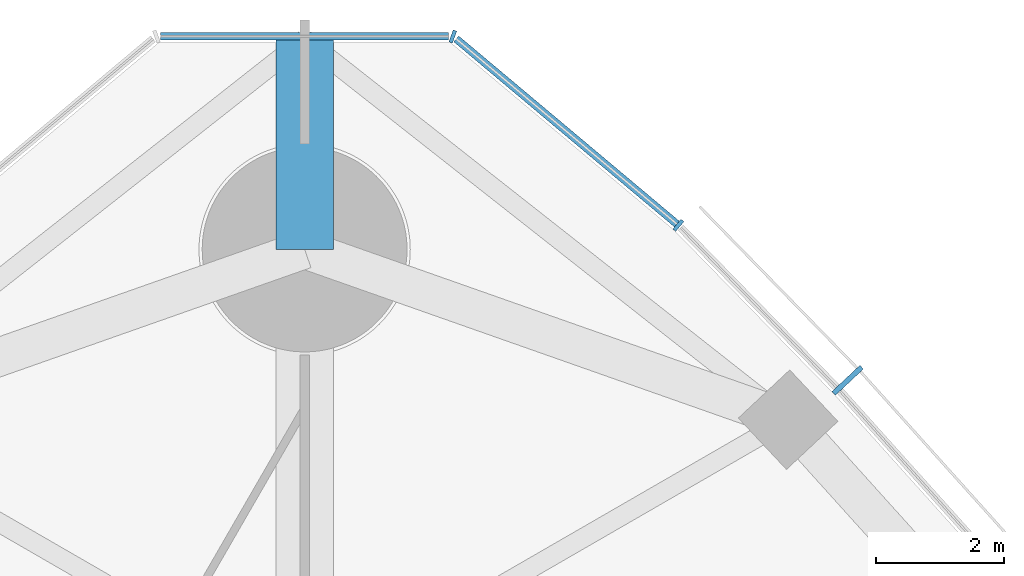
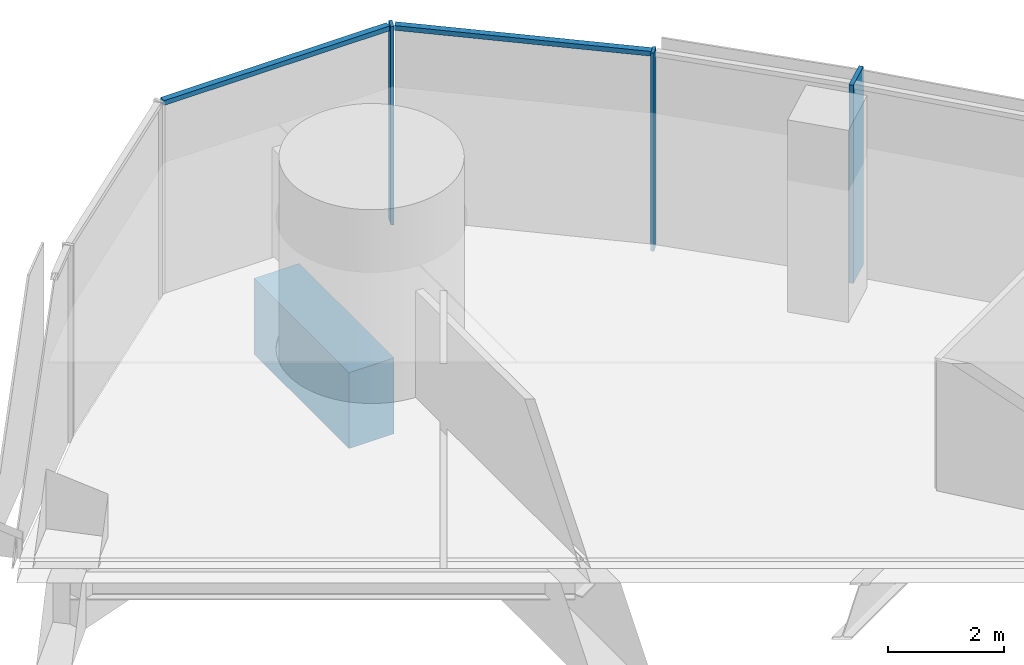
# One storey, part 8 of 19: 5 members, 1 beam, 2 elements without a shape of their own.
"""IFC4 building model written with IfcOpenShell, lengths in metres."""

import ifcopenshell
import ifcopenshell.guid

model = None  # the IFC model being written
_history = None  # IfcOwnerHistory: only IFC2X3 demands one
_inside = {}  # id of a spatial element -> (the spatial element, [elements in it])
_under = {}  # id of a project, library or spatial element -> (it, [spatial elements below it])
_declared = {}  # id of a project -> (the project, [libraries it declares])
_typed = {}  # id of a type object -> (the type object, [elements of that type])
_made_of = {}  # id of a material, layer set ... -> (it, [elements and type objects made of it])


def new_model(schema):
    """Start an empty IFC model of exactly this schema.

    Asked for "IFC4X3", IfcOpenShell would pick the latest addendum, in which some entities
    have other attributes; the version numbers below select the first issue.
    IFC2X3 requires an IfcOwnerHistory on every rooted entity: one is made here for all.
    """
    global model, _history
    if schema == "IFC4X3":
        model = ifcopenshell.file(schema_version=(4, 3, 0, 0))
    else:
        model = ifcopenshell.file(schema=schema)
    _inside.clear()
    _under.clear()
    _declared.clear()
    _typed.clear()
    _made_of.clear()
    _history = None
    if model.schema == "IFC2X3":
        org = make("IfcOrganization", Name="unknown")
        user = make(
            "IfcPersonAndOrganization",
            ThePerson=make("IfcPerson", FamilyName="unknown"),
            TheOrganization=org,
        )
        app = make(
            "IfcApplication",
            ApplicationDeveloper=org,
            Version="unknown",
            ApplicationFullName="unknown",
            ApplicationIdentifier="unknown",
        )
        _history = make(
            "IfcOwnerHistory",
            OwningUser=user,
            OwningApplication=app,
            ChangeAction="ADDED",
            CreationDate=0,
        )
    return model


def make(cls, **values):
    """One entity of the class cls with the attributes given. An attribute that is None is left unset."""
    return model.create_entity(
        cls, **{name: value for name, value in values.items() if value is not None}
    )


def rooted(cls, **values):
    """An entity with a GlobalId (a new one), such as an element, a storey or a relation."""
    return make(cls, GlobalId=ifcopenshell.guid.new(), OwnerHistory=_history, **values)


def si_unit(unit_type, name, prefix=None):
    """IfcSIUnit, for example si_unit("LENGTHUNIT", "METRE", prefix="MILLI")."""
    return make("IfcSIUnit", UnitType=unit_type, Prefix=prefix, Name=name)


def assignment(units):
    """IfcUnitAssignment: the units of a project."""
    return None if units is None else make("IfcUnitAssignment", Units=units)


def point(xyz):
    """IfcCartesianPoint."""
    return None if xyz is None else make("IfcCartesianPoint", Coordinates=xyz)


def direction(xyz):
    """IfcDirection."""
    return None if xyz is None else make("IfcDirection", DirectionRatios=xyz)


def frame(location, z_axis=None, x_axis=None):
    """IfcAxis2Placement3D, a coordinate frame: its origin and axes. An axis left out is left unset."""
    return make(
        "IfcAxis2Placement3D",
        Location=point(location),
        Axis=direction(z_axis),
        RefDirection=direction(x_axis),
    )


def frame_2d(location, x_axis=None):
    """IfcAxis2Placement2D, a coordinate frame in the plane: its origin and x axis."""
    return make(
        "IfcAxis2Placement2D", Location=point(location), RefDirection=direction(x_axis)
    )


def origin():
    """The frame at (0, 0, 0) with its axes left unset."""
    return frame((0.0, 0.0, 0.0))


def origin_2d():
    """The frame at (0, 0) in the plane with its x axis left unset."""
    return frame_2d((0.0, 0.0))


def place(relative_to, where):
    """IfcLocalPlacement: puts the frame where relative to a parent placement (None: the world)."""
    return make(
        "IfcLocalPlacement", PlacementRelTo=relative_to, RelativePlacement=where
    )


def context(
    kind, dimensions, precision=None, world=None, true_north=None, identifier=None
):
    """IfcGeometricRepresentationContext, for example the 3D "Model" context."""
    return make(
        "IfcGeometricRepresentationContext",
        ContextIdentifier=identifier,
        ContextType=kind,
        CoordinateSpaceDimension=dimensions,
        Precision=precision,
        WorldCoordinateSystem=world,
        TrueNorth=true_north,
    )


def subcontext(parent, identifier, kind, view, scale=None):
    """IfcGeometricRepresentationSubContext, for example "Body" below "Model"."""
    return make(
        "IfcGeometricRepresentationSubContext",
        ContextIdentifier=identifier,
        ContextType=kind,
        ParentContext=parent,
        TargetScale=scale,
        TargetView=view,
    )


def project(units=None, contexts=None):
    """IfcProject with its units and contexts."""
    return rooted(
        "IfcProject",
        Name="project",
        RepresentationContexts=contexts,
        UnitsInContext=assignment(units),
    )


def spatial(cls, under=None, at=None, **own):
    """A site, building, storey or space (cls), placed at a placement, below another one or the project."""
    s = rooted(cls, ObjectPlacement=at, **own)
    if under is not None:
        _under.setdefault(under.id(), (under, []))[1].append(s)
    return s


def profile(cls, at=None, kind="AREA", **sizes):
    """A parametric profile (cls). Its sizes go by their IFC names, for example OverallWidth=200.0."""
    return make(cls, ProfileType=kind, Position=at, **sizes)


def rectangle(**sizes):
    """IfcRectangleProfileDef."""
    return profile("IfcRectangleProfileDef", **sizes)


def extrude(swept, where, along, depth):
    """IfcExtrudedAreaSolid: the profile swept, set in the frame where, extruded along a direction by depth."""
    return make(
        "IfcExtrudedAreaSolid",
        SweptArea=swept,
        Position=where,
        ExtrudedDirection=direction(along),
        Depth=depth,
    )


def shape(context_of_items, identifier, shape_type, items):
    """IfcShapeRepresentation: the items that make up one representation, for example the "Body"."""
    return make(
        "IfcShapeRepresentation",
        ContextOfItems=context_of_items,
        RepresentationIdentifier=identifier,
        RepresentationType=shape_type,
        Items=items,
    )


def material(Name=None, Category=None):
    """IfcMaterial."""
    return make("IfcMaterial", Name=Name, Category=Category)


def material_profile(
    of_material, cross_section, Name=None, Category=None, Priority=None
):
    """IfcMaterialProfile: a cross section and its material."""
    return make(
        "IfcMaterialProfile",
        Name=Name,
        Material=of_material,
        Profile=cross_section,
        Priority=Priority,
        Category=Category,
    )


def profile_set(profiles, Name=None, composite=None):
    """IfcMaterialProfileSet."""
    return make(
        "IfcMaterialProfileSet",
        Name=Name,
        MaterialProfiles=profiles,
        CompositeProfile=composite,
    )


def made_of(thing, what):
    """Note that an element or type object is made of a material, layer set ...; save() writes the relation."""
    if what is not None:
        _made_of.setdefault(what.id(), (what, []))[1].append(thing)
    return thing


def type_object(cls, material=None, **own):
    """A type object (cls), such as IfcWallType, which elements share."""
    return made_of(rooted(cls, **own), material)


def element(
    cls,
    number,
    at=None,
    inside=None,
    cuts=None,
    type_object=None,
    material=None,
    context=None,
    identifier="Body",
    shape_type=None,
    held_by="IfcProductDefinitionShape",
    body=None,
    shapes=None,
    **own,
):
    """One element of the class cls, such as IfcWall. Its Tag is "e" and its number.

    at: its placement. inside: the storey or other place that contains it. cuts: it is an
    opening in that element (IfcRelVoidsElement). A single representation is given by context,
    identifier, shape_type and body (its items); several are given by shapes. held_by: the class
    of the entity that holds the representations. save() writes the other relations.
    """
    e = rooted(cls, Tag="e%d" % number, ObjectPlacement=at, **own)
    if body is not None:
        shapes = [shape(context, identifier, shape_type, body)]
    if shapes is not None:
        e.Representation = make(held_by, Representations=shapes)
    if inside is not None:
        _inside.setdefault(inside.id(), (inside, []))[1].append(e)
    if cuts is not None:
        rooted(
            "IfcRelVoidsElement", RelatingBuildingElement=cuts, RelatedOpeningElement=e
        )
    if type_object is not None:
        _typed.setdefault(type_object.id(), (type_object, []))[1].append(e)
    return made_of(e, material)


def aggregate(whole, parts):
    """IfcRelAggregates: a whole, such as a stair, and the parts it consists of."""
    return rooted("IfcRelAggregates", RelatingObject=whole, RelatedObjects=parts)


def save(model, path):
    """Write the relations noted so far, then the file.

    IfcRelAggregates (storeys below a building ...), IfcRelContainedInSpatialStructure (elements
    in a storey), IfcRelDefinesByType, IfcRelAssociatesMaterial and IfcRelDeclares: one each for
    every whole, place, type object, material and project.
    """
    for whole, parts in _under.values():
        aggregate(whole, parts)
    for where, things in _inside.values():
        rooted(
            "IfcRelContainedInSpatialStructure",
            RelatedElements=things,
            RelatingStructure=where,
        )
    for kind, things in _typed.values():
        rooted("IfcRelDefinesByType", RelatedObjects=things, RelatingType=kind)
    for what, things in _made_of.values():
        rooted("IfcRelAssociatesMaterial", RelatedObjects=things, RelatingMaterial=what)
    for by, libraries in _declared.values():
        rooted("IfcRelDeclares", RelatingContext=by, RelatedDefinitions=libraries)
    model.write(path)


model = new_model("IFC4")

# Units and contexts
model_context = context("Model", 3, precision=1e-05, world=origin(), true_north=direction((0.0, 1.0)))
body_context = subcontext(model_context, "Body", "Model", "MODEL_VIEW")
ifc_project = project(units=[si_unit("LENGTHUNIT", "METRE"), si_unit("AREAUNIT", "SQUARE_METRE"), si_unit("VOLUMEUNIT", "CUBIC_METRE"), si_unit("PLANEANGLEUNIT", "RADIAN"), si_unit("MASSUNIT", "GRAM", prefix="KILO")], contexts=[model_context])

# Site, building, storey
site_placement = place(None, origin())
site = spatial("IfcSite", under=ifc_project, at=site_placement, CompositionType="ELEMENT")
building_placement = place(site_placement, origin())
building = spatial("IfcBuilding", under=site, at=building_placement, Name="Trefoil Bronze Tower", CompositionType="ELEMENT")
storey_placement = place(building_placement, frame((0.0, 0.0, 206.5)))
storey = spatial("IfcBuildingStorey", under=building, at=storey_placement, Name="L47", CompositionType="ELEMENT", Elevation=206.5)

# Curtain wall, member
ifc_material_1 = material(Name="Tinted solar-control glass", Category="glass")
curtain_wall_type_1 = type_object("IfcCurtainWallType", Name="Bronze office curtain wall", PredefinedType="USERDEFINED", material=ifc_material_1)
curtain_wall_1_placement = place(storey_placement, origin())
curtain_wall_1 = element("IfcCurtainWall", 1, at=curtain_wall_1_placement, inside=storey, type_object=curtain_wall_type_1, Name="CW-A L47 F2", ObjectType="CURTAIN WALL", PredefinedType="USERDEFINED")
ifc_material_2 = material(Name="Bronze-finish aluminium", Category="aluminium")
ifc_material_profile_1 = material_profile(ifc_material_2, rectangle(XDim=0.60009765625, YDim=0.080078125, at=origin_2d()), Name="CW-A mullion")
ifc_profile_set_1 = profile_set([ifc_material_profile_1], Name="Bronze-finish aluminium")
member_type_1 = type_object("IfcMemberType", Name="Bronze office curtain wall mullion", PredefinedType="MULLION", material=ifc_profile_set_1)
member_1_placement = place(storey_placement, frame((8.482177734375, 30.95654296875, 0.0), z_axis=(0.0, 0.0, 1.0), x_axis=(-0.729859580661, -0.683597098091, 0.0)))
member_1 = element("IfcMember", 2, at=member_1_placement, type_object=member_type_1, Name="CW-A L47 F2 mullion 12", PredefinedType="MULLION", context=body_context, shape_type="SweptSolid", body=[
    extrude(rectangle(XDim=0.60009765625, YDim=0.080078125, at=origin_2d()), origin(), (0.0, 0.0, 1.0), 4.179931640625),
])
aggregate(curtain_wall_1, [member_1])

# Curtain wall, members
ifc_material_3 = material(Name="Tinted solar-control glass", Category="glass")
curtain_wall_type_2 = type_object("IfcCurtainWallType", Name="Bronze rounded corner curtain wall", PredefinedType="USERDEFINED", material=ifc_material_3)
curtain_wall_2_placement = place(storey_placement, origin())
curtain_wall_2 = element("IfcCurtainWall", 3, at=curtain_wall_2_placement, inside=storey, type_object=curtain_wall_type_2, Name="CW-B L47 K2", ObjectType="CURTAIN WALL", PredefinedType="USERDEFINED")
ifc_material_4 = material(Name="Bronze-finish aluminium", Category="aluminium")
ifc_material_profile_2 = material_profile(ifc_material_4, rectangle(XDim=0.199951171875, YDim=0.06005859375, at=origin_2d()), Name="CW-B mullion")
ifc_profile_set_2 = profile_set([ifc_material_profile_2], Name="Bronze-finish aluminium")
member_type_2 = type_object("IfcMemberType", Name="Bronze rounded corner curtain wall mullion", PredefinedType="MULLION", material=ifc_profile_set_2)
member_2_placement = place(storey_placement, frame((5.837890625, 33.3779296875, 0.0), z_axis=(0.0, 0.0, 1.0), x_axis=(-0.642787609687, -0.766044443119, 0.0)))
member_2 = element("IfcMember", 4, at=member_2_placement, type_object=member_type_2, Name="CW-B L47 K2 mullion 1", PredefinedType="MULLION", context=body_context, shape_type="SweptSolid", body=[
    extrude(rectangle(XDim=0.199951171875, YDim=0.06005859375, at=origin_2d()), origin(), (0.0, 0.0, 1.0), 4.179931640625),
])
member_3_placement = place(storey_placement, frame((2.314453125, 36.326416015625, 0.0), z_axis=(0.0, 0.0, 1.0), x_axis=(-0.342020143326, -0.939692620786, 0.0)))
member_3 = element("IfcMember", 5, at=member_3_placement, type_object=member_type_2, Name="CW-B L47 K2 mullion 2", PredefinedType="MULLION", context=body_context, shape_type="SweptSolid", body=[
    extrude(rectangle(XDim=0.199951171875, YDim=0.06005859375, at=origin_2d()), origin(), (0.0, 0.0, 1.0), 4.179931640625),
])
ifc_material_5 = material(Name="Bronze-finish aluminium", Category="aluminium")
ifc_material_profile_3 = material_profile(ifc_material_5, rectangle(XDim=0.1201171875, YDim=0.10009765625, at=origin_2d()), Name="CW-B transom")
ifc_profile_set_3 = profile_set([ifc_material_profile_3], Name="Bronze-finish aluminium")
member_type_3 = type_object("IfcMemberType", Name="Bronze rounded corner curtain wall transom", PredefinedType="USERDEFINED", material=ifc_profile_set_3)
member_4_placement = place(storey_placement, frame((5.814697265625, 33.397216796875, 4.1298828125), z_axis=(-0.766046761698, 0.642784846501, 0.0), x_axis=(-0.642784846501, -0.766046761698, 0.0)))
member_4 = element("IfcMember", 6, at=member_4_placement, type_object=member_type_3, Name="CW-B L47 K2 transom 1", ObjectType="TRANSOM", PredefinedType="USERDEFINED", context=body_context, shape_type="SweptSolid", body=[
    extrude(rectangle(XDim=0.1201171875, YDim=0.10009765625, at=origin_2d()), origin(), (0.0, 0.0, 1.0), 4.5),
])
member_5_placement = place(storey_placement, frame((2.250244140625, 36.33251953125, 4.1298828125), z_axis=(-1.0, 0.0, 0.0), x_axis=(0.0, -1.0, 0.0)))
member_5 = element("IfcMember", 7, at=member_5_placement, type_object=member_type_3, Name="CW-B L47 K2 transom 2", ObjectType="TRANSOM", PredefinedType="USERDEFINED", context=body_context, shape_type="SweptSolid", body=[
    extrude(rectangle(XDim=0.1201171875, YDim=0.10009765625, at=origin_2d()), origin(), (0.0, 0.0, 1.0), 4.50048828125),
])
aggregate(curtain_wall_2, [member_2, member_3, member_4, member_5])

# Beam
ifc_material_6 = material(Name="Concrete B80", Category="concrete")
ifc_material_profile_4 = material_profile(ifc_material_6, rectangle(XDim=0.89990234375, YDim=1.60009765625, at=origin_2d()), Name="RC 900x1600")
ifc_profile_set_4 = profile_set([ifc_material_profile_4], Name="Concrete B80")
beam_type = type_object("IfcBeamType", Name="Corner cantilever RC 900x1600", PredefinedType="BEAM", material=ifc_profile_set_4)
beam_placement = place(storey_placement, frame((0.0, 33.0, -1.0), z_axis=(0.0, 1.0, 0.0), x_axis=(-1.0, 0.0, 0.0)))
element("IfcBeam", 8, at=beam_placement, inside=storey, type_object=beam_type, Name="Corner cantilever K2 L47", PredefinedType="BEAM", context=body_context, shape_type="SweptSolid", body=[
    extrude(rectangle(XDim=0.89990234375, YDim=1.60009765625, at=origin_2d()), origin(), (0.0, 0.0, 1.0), 3.28466796875),
])

save(model, "model.ifc")
